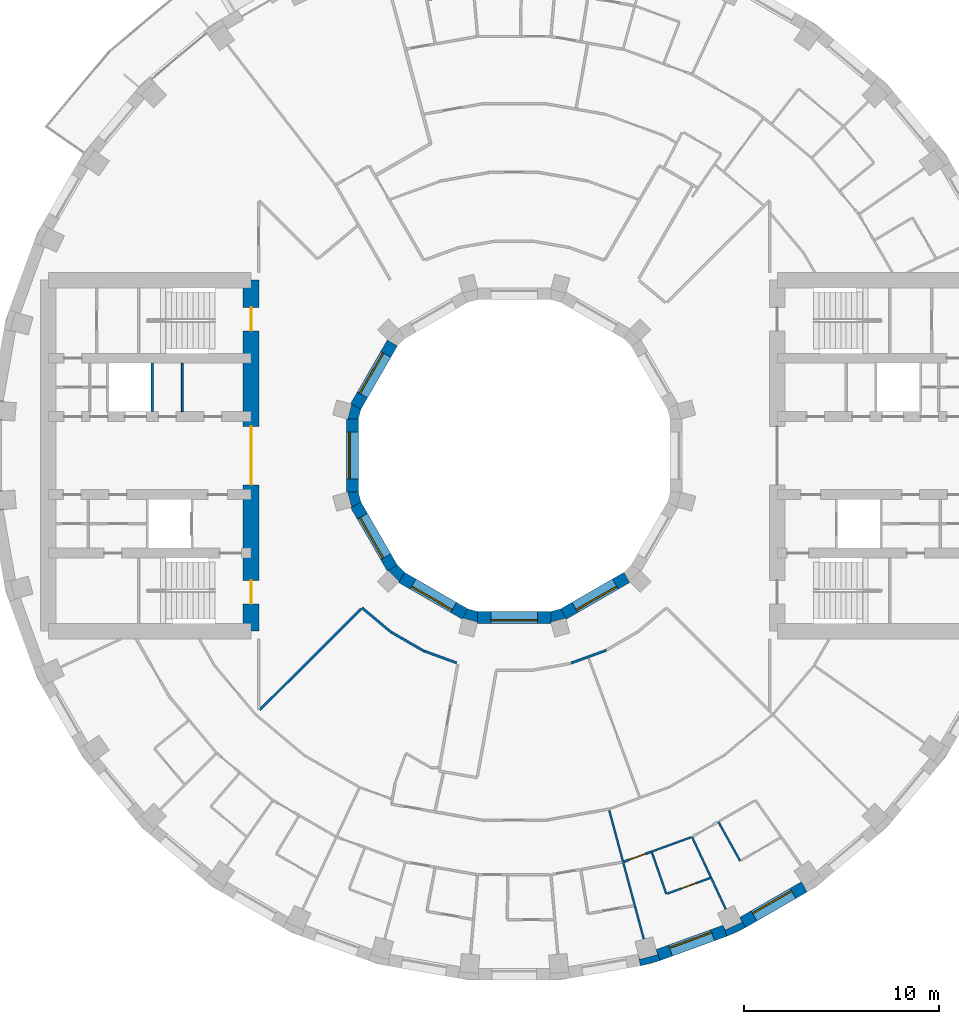
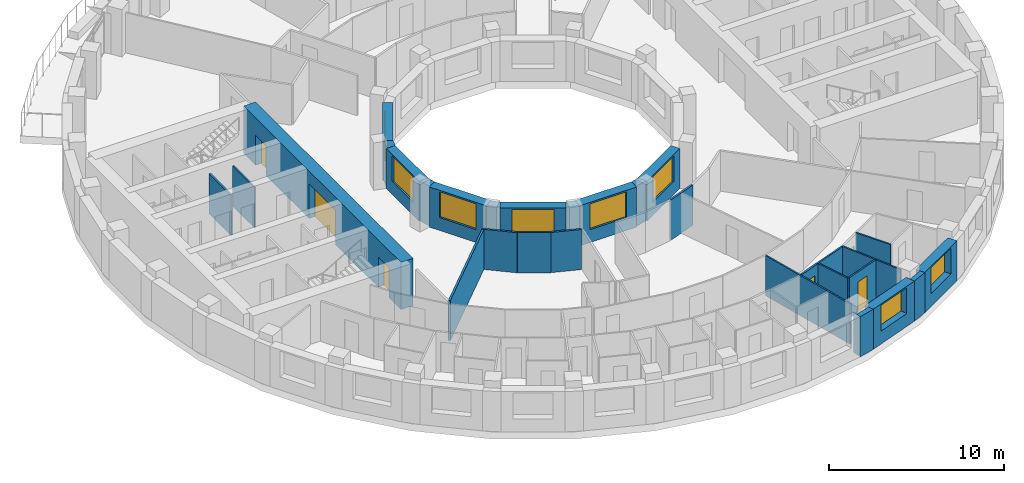
# One storey, part 7 of 14: 30 walls, 8 windows, 5 doors, 13 openings.
"""IFC4 building model written with IfcOpenShell, lengths in metres."""

from ifc_helpers import new_model, si_unit, direction, frame, frame_2d, origin, place, context, subcontext, project, spatial, polyline, rectangle, outline, extrude, material, layer, layer_set, type_object, element, fill, save


model = new_model("IFC4")

# Units and contexts
model_context = context("Model", 3, precision=1e-05, world=origin(), true_north=direction((0.0, 1.0)))
body_context = subcontext(model_context, "Body", "Model", "MODEL_VIEW")
ifc_project = project(units=[si_unit("LENGTHUNIT", "METRE"), si_unit("AREAUNIT", "SQUARE_METRE"), si_unit("VOLUMEUNIT", "CUBIC_METRE"), si_unit("PLANEANGLEUNIT", "RADIAN"), si_unit("MASSUNIT", "GRAM", prefix="KILO")], contexts=[model_context])

# Site, building, storey
site_placement = place(None, origin())
site = spatial("IfcSite", under=ifc_project, at=site_placement, CompositionType="ELEMENT")
building_placement = place(site_placement, origin())
building = spatial("IfcBuilding", under=site, at=building_placement, Name="Saqina Gate Tower", CompositionType="ELEMENT")
storey_placement = place(building_placement, frame((0.0, 0.0, 95.199951171875)))
storey = spatial("IfcBuildingStorey", under=building, at=storey_placement, Name="L26", CompositionType="ELEMENT", Elevation=95.199951171875)

# Walls
ifc_material_1 = material(Name="Brick masonry (buff)", Category="masonry")
wall_type_1 = type_object("IfcWallType", Name="BRICK PIER COPING BUFF", PredefinedType="SOLIDWALL", material=ifc_material_1)
wall_1_placement = place(storey_placement, origin())
element("IfcWall", 1, at=wall_1_placement, inside=storey, type_object=wall_type_1, Name="Pier cap L26 column 29", PredefinedType="SOLIDWALL", context=body_context, shape_type="SweptSolid", body=[
    extrude(outline(polyline([(6.466796875, -26.171875), (7.485595703125, -25.89892578125), (7.2802734375, -25.335205078125), (7.349853515625, -25.5947265625), (6.43212890625, -25.8408203125), (6.36279296875, -25.5810546875), (6.466796875, -26.171875)])), origin(), (0.0, 0.0, 1.0), 2.800048828125),
])
wall_2_placement = place(storey_placement, origin())
element("IfcWall", 2, at=wall_2_placement, inside=storey, type_object=wall_type_1, Name="Pier cap L26 column 30", PredefinedType="SOLIDWALL", context=body_context, shape_type="SweptSolid", body=[
    extrude(outline(polyline([(10.913330078125, -24.6513671875), (11.869140625, -24.205810546875), (11.569091796875, -23.68603515625), (11.6826171875, -23.9296875), (10.82177734375, -24.331298828125), (10.7080078125, -24.08740234375), (10.913330078125, -24.6513671875)])), origin(), (0.0, 0.0, 1.0), 2.800048828125),
])
ifc_material_2 = material(Name="Gypsum board on steel studs", Category="steel")
ifc_layer_1 = layer(ifc_material_2, 0.10009765625)
ifc_layer_set_1 = layer_set([ifc_layer_1], Name="CORE PARTITION")
wall_type_2 = type_object("IfcWallType", Name="CORE PARTITION", PredefinedType="PARTITIONING", material=ifc_layer_set_1)
wall_3_placement = place(storey_placement, frame((-17.022216796875, 2.25, 0.0), z_axis=(0.0, 0.0, 1.0), x_axis=(0.0, 1.0, 0.0)))
element("IfcWall", 3, at=wall_3_placement, inside=storey, type_object=wall_type_2, Name="L26-CP-W01", PredefinedType="PARTITIONING", context=body_context, shape_type="SweptSolid", body=[
    extrude(rectangle(XDim=2.5, YDim=0.10009765625, at=frame_2d((1.25, 0.0))), origin(), (0.0, 0.0, 1.0), 2.800048828125),
])

# Wall, opening, window
ifc_material_3 = material(Name="Brick masonry (buff)", Category="masonry")
ifc_layer_2 = layer(ifc_material_3, 0.60009765625)
ifc_layer_set_2 = layer_set([ifc_layer_2], Name="FW-BRICK-BUFF")
wall_type_3 = type_object("IfcWallType", Name="FW-BRICK-BUFF", PredefinedType="SOLIDWALL", material=ifc_layer_set_2)
wall_4_placement = place(storey_placement, frame((7.3828125, -25.616943359375, 0.0), z_axis=(0.0, 0.0, 1.0), x_axis=(0.939703505393, 0.341990236633, 0.0)))
wall_4 = element("IfcWall", 4, at=wall_4_placement, inside=storey, type_object=wall_type_3, Name="Facade wall L26 facet 29", PredefinedType="SOLIDWALL", context=body_context, shape_type="SweptSolid", body=[
    extrude(rectangle(XDim=3.64794921875, YDim=0.60009765625, at=frame_2d((1.823974609375, 0.0))), origin(), (0.0, 0.0, 1.0), 2.800048828125),
])
opening_1_placement = place(wall_4_placement, frame((0.673828125, 0.0, 0.89990234375)))
opening_1 = element("IfcOpeningElement", 5, at=opening_1_placement, cuts=wall_4, Name="Opening G07-W18", PredefinedType="OPENING", context=body_context, shape_type="SweptSolid", body=[
    extrude(rectangle(XDim=2.300048828125, YDim=1.800048828125, at=frame_2d((1.14990234375, 0.89990234375))), frame((0.0, 0.31201171875, 0.0), z_axis=(0.0, -1.0, 0.0), x_axis=(1.0, 0.0, 0.0)), (0.0, 0.0, 1.0), 0.6240234375),
])
ifc_material_4 = material(Name="Aluminium glazing", Category="aluminium")
window_type_1 = type_object("IfcWindowType", Name="WN-B", PartitioningType="SINGLE_PANEL", PredefinedType="WINDOW", material=ifc_material_4)
window_1_placement = place(opening_1_placement, origin())
window_1 = element("IfcWindow", 6, at=window_1_placement, inside=storey, type_object=window_type_1, Name="Window L26 facet 29", OverallHeight=1.800048828125, OverallWidth=2.300048828125, PartitioningType="SINGLE_PANEL", PredefinedType="WINDOW", context=body_context, shape_type="SweptSolid", body=[
    extrude(rectangle(XDim=2.300048828125, YDim=1.800048828125, at=frame_2d((1.14990234375, 0.89990234375))), frame((0.0, 0.179931640625, 0.0), z_axis=(0.0, -1.0, 0.0), x_axis=(1.0, 0.0, 0.0)), (0.0, 0.0, 1.0), 0.06005859375),
])
fill(opening_1, window_1)

wall_5_placement = place(storey_placement, frame((11.718994140625, -23.94580078125, 0.0), z_axis=(0.0, 0.0, 1.0), x_axis=(0.866051847062, 0.499954196102, 0.0)))
wall_5 = element("IfcWall", 7, at=wall_5_placement, inside=storey, type_object=wall_type_3, Name="Facade wall L26 facet 30", PredefinedType="SOLIDWALL", context=body_context, shape_type="SweptSolid", body=[
    extrude(rectangle(XDim=3.647705078125, YDim=0.60009765625, at=frame_2d((1.82373046875, 0.0))), origin(), (0.0, 0.0, 1.0), 2.800048828125),
])
opening_2_placement = place(wall_5_placement, frame((0.673828125, 0.0, 0.89990234375)))
opening_2 = element("IfcOpeningElement", 8, at=opening_2_placement, cuts=wall_5, Name="Opening G07-W19", PredefinedType="OPENING", context=body_context, shape_type="SweptSolid", body=[
    extrude(rectangle(XDim=2.300048828125, YDim=1.800048828125, at=frame_2d((1.14990234375, 0.89990234375))), frame((0.0, 0.31201171875, 0.0), z_axis=(0.0, -1.0, 0.0), x_axis=(1.0, 0.0, 0.0)), (0.0, 0.0, 1.0), 0.6240234375),
])
window_2_placement = place(opening_2_placement, origin())
window_2 = element("IfcWindow", 9, at=window_2_placement, inside=storey, type_object=window_type_1, Name="Window L26 facet 30", OverallHeight=1.800048828125, OverallWidth=2.300048828125, PartitioningType="SINGLE_PANEL", PredefinedType="WINDOW", context=body_context, shape_type="SweptSolid", body=[
    extrude(rectangle(XDim=2.300048828125, YDim=1.800048828125, at=frame_2d((1.14990234375, 0.89990234375))), frame((0.0, 0.179931640625, 0.0), z_axis=(0.0, -1.0, 0.0), x_axis=(1.0, 0.0, 0.0)), (0.0, 0.0, 1.0), 0.06005859375),
])
fill(opening_2, window_2)

ifc_material_5 = material(Name="Glazed ceramic tile", Category="ceramic")
ifc_layer_3 = layer(ifc_material_5, 0.60009765625)
ifc_layer_set_3 = layer_set([ifc_layer_3], Name="IW-TILE")
wall_type_4 = type_object("IfcWallType", Name="IW-TILE", PredefinedType="SOLIDWALL", material=ifc_layer_set_3)
wall_6_placement = place(storey_placement, frame((-6.251220703125, 5.772705078125, 0.0), z_axis=(0.0, 0.0, 1.0), x_axis=(-0.499964958637, -0.86604563398, 0.0)))
wall_6 = element("IfcWall", 10, at=wall_6_placement, inside=storey, type_object=wall_type_4, Name="Well wall L26 facet 5", PredefinedType="SOLIDWALL", context=body_context, shape_type="SweptSolid", body=[
    extrude(rectangle(XDim=3.747314453125, YDim=0.60009765625, at=frame_2d((1.87353515625, 0.0))), origin(), (0.0, 0.0, 1.0), 2.800048828125),
])
opening_3_placement = place(wall_6_placement, frame((0.673583984375, 0.0, 0.89990234375)))
opening_3 = element("IfcOpeningElement", 11, at=opening_3_placement, cuts=wall_6, Name="Opening G07-W27", PredefinedType="OPENING", context=body_context, shape_type="SweptSolid", body=[
    extrude(rectangle(XDim=2.39990234375, YDim=1.800048828125, at=frame_2d((1.199951171875, 0.89990234375))), frame((0.0, 0.31201171875, 0.0), z_axis=(0.0, -1.0, 0.0), x_axis=(1.0, 0.0, 0.0)), (0.0, 0.0, 1.0), 0.6240234375),
])
ifc_material_6 = material(Name="Aluminium glazing", Category="aluminium")
window_type_2 = type_object("IfcWindowType", Name="WN-W", PartitioningType="SINGLE_PANEL", PredefinedType="WINDOW", material=ifc_material_6)
window_3_placement = place(opening_3_placement, origin())
window_3 = element("IfcWindow", 12, at=window_3_placement, inside=storey, type_object=window_type_2, Name="Well window L26 facet 5", OverallHeight=1.800048828125, OverallWidth=2.39990234375, PartitioningType="SINGLE_PANEL", PredefinedType="WINDOW", context=body_context, shape_type="SweptSolid", body=[
    extrude(rectangle(XDim=2.39990234375, YDim=1.800048828125, at=frame_2d((1.199951171875, 0.89990234375))), frame((0.0, -0.119873046875, 0.0), z_axis=(0.0, -1.0, 0.0), x_axis=(1.0, 0.0, 0.0)), (0.0, 0.0, 1.0), 0.06005859375),
])
fill(opening_3, window_3)

wall_7_placement = place(storey_placement, frame((-8.300048828125, 1.873779296875, 0.0), z_axis=(0.0, 0.0, 1.0), x_axis=(0.0, -1.0, 0.0)))
wall_7 = element("IfcWall", 13, at=wall_7_placement, inside=storey, type_object=wall_type_4, Name="Well wall L26 facet 6", PredefinedType="SOLIDWALL", context=body_context, shape_type="SweptSolid", body=[
    extrude(rectangle(XDim=3.74755859375, YDim=0.60009765625, at=frame_2d((1.873779296875, 0.0))), origin(), (0.0, 0.0, 1.0), 2.800048828125),
])
opening_4_placement = place(wall_7_placement, frame((0.673583984375, 0.0, 0.89990234375)))
opening_4 = element("IfcOpeningElement", 14, at=opening_4_placement, cuts=wall_7, Name="Opening G07-W28", PredefinedType="OPENING", context=body_context, shape_type="SweptSolid", body=[
    extrude(rectangle(XDim=2.39990234375, YDim=1.800048828125, at=frame_2d((1.199951171875, 0.89990234375))), frame((0.0, 0.31201171875, 0.0), z_axis=(0.0, -1.0, 0.0), x_axis=(1.0, 0.0, 0.0)), (0.0, 0.0, 1.0), 0.6240234375),
])
window_4_placement = place(opening_4_placement, origin())
window_4 = element("IfcWindow", 15, at=window_4_placement, inside=storey, type_object=window_type_2, Name="Well window L26 facet 6", OverallHeight=1.800048828125, OverallWidth=2.39990234375, PartitioningType="SINGLE_PANEL", PredefinedType="WINDOW", context=body_context, shape_type="SweptSolid", body=[
    extrude(rectangle(XDim=2.39990234375, YDim=1.800048828125, at=frame_2d((1.199951171875, 0.89990234375))), frame((0.0, -0.119873046875, 0.0), z_axis=(0.0, -1.0, 0.0), x_axis=(1.0, 0.0, 0.0)), (0.0, 0.0, 1.0), 0.06005859375),
])
fill(opening_4, window_4)

wall_8_placement = place(storey_placement, frame((-8.124755859375, -2.52734375, 0.0), z_axis=(0.0, 0.0, 1.0), x_axis=(0.499964958637, -0.86604563398, 0.0)))
wall_8 = element("IfcWall", 16, at=wall_8_placement, inside=storey, type_object=wall_type_4, Name="Well wall L26 facet 7", PredefinedType="SOLIDWALL", context=body_context, shape_type="SweptSolid", body=[
    extrude(rectangle(XDim=3.747314453125, YDim=0.60009765625, at=frame_2d((1.87353515625, 0.0))), origin(), (0.0, 0.0, 1.0), 2.800048828125),
])
opening_5_placement = place(wall_8_placement, frame((0.673583984375, 0.0, 0.89990234375)))
opening_5 = element("IfcOpeningElement", 17, at=opening_5_placement, cuts=wall_8, Name="Opening G07-W29", PredefinedType="OPENING", context=body_context, shape_type="SweptSolid", body=[
    extrude(rectangle(XDim=2.39990234375, YDim=1.800048828125, at=frame_2d((1.199951171875, 0.89990234375))), frame((0.0, 0.31201171875, 0.0), z_axis=(0.0, -1.0, 0.0), x_axis=(1.0, 0.0, 0.0)), (0.0, 0.0, 1.0), 0.6240234375),
])
window_5_placement = place(opening_5_placement, origin())
window_5 = element("IfcWindow", 18, at=window_5_placement, inside=storey, type_object=window_type_2, Name="Well window L26 facet 7", OverallHeight=1.800048828125, OverallWidth=2.39990234375, PartitioningType="SINGLE_PANEL", PredefinedType="WINDOW", context=body_context, shape_type="SweptSolid", body=[
    extrude(rectangle(XDim=2.39990234375, YDim=1.800048828125, at=frame_2d((1.199951171875, 0.89990234375))), frame((0.0, -0.119873046875, 0.0), z_axis=(0.0, -1.0, 0.0), x_axis=(1.0, 0.0, 0.0)), (0.0, 0.0, 1.0), 0.06005859375),
])
fill(opening_5, window_5)

wall_9_placement = place(storey_placement, frame((-5.772705078125, -6.251220703125, 0.0), z_axis=(0.0, 0.0, 1.0), x_axis=(0.86604563398, -0.499964958637, 0.0)))
wall_9 = element("IfcWall", 19, at=wall_9_placement, inside=storey, type_object=wall_type_4, Name="Well wall L26 facet 8", PredefinedType="SOLIDWALL", context=body_context, shape_type="SweptSolid", body=[
    extrude(rectangle(XDim=3.747314453125, YDim=0.60009765625, at=frame_2d((1.87353515625, 0.0))), origin(), (0.0, 0.0, 1.0), 2.800048828125),
])
opening_6_placement = place(wall_9_placement, frame((0.673583984375, 0.0, 0.89990234375)))
opening_6 = element("IfcOpeningElement", 20, at=opening_6_placement, cuts=wall_9, Name="Opening G07-W30", PredefinedType="OPENING", context=body_context, shape_type="SweptSolid", body=[
    extrude(rectangle(XDim=2.39990234375, YDim=1.800048828125, at=frame_2d((1.199951171875, 0.89990234375))), frame((0.0, 0.31201171875, 0.0), z_axis=(0.0, -1.0, 0.0), x_axis=(1.0, 0.0, 0.0)), (0.0, 0.0, 1.0), 0.6240234375),
])
window_6_placement = place(opening_6_placement, origin())
window_6 = element("IfcWindow", 21, at=window_6_placement, inside=storey, type_object=window_type_2, Name="Well window L26 facet 8", OverallHeight=1.800048828125, OverallWidth=2.39990234375, PartitioningType="SINGLE_PANEL", PredefinedType="WINDOW", context=body_context, shape_type="SweptSolid", body=[
    extrude(rectangle(XDim=2.39990234375, YDim=1.800048828125, at=frame_2d((1.199951171875, 0.89990234375))), frame((0.0, -0.119873046875, 0.0), z_axis=(0.0, -1.0, 0.0), x_axis=(1.0, 0.0, 0.0)), (0.0, 0.0, 1.0), 0.06005859375),
])
fill(opening_6, window_6)

wall_10_placement = place(storey_placement, frame((-1.873779296875, -8.300048828125, 0.0), z_axis=(0.0, 0.0, 1.0), x_axis=(1.0, 0.0, 0.0)))
wall_10 = element("IfcWall", 22, at=wall_10_placement, inside=storey, type_object=wall_type_4, Name="Well wall L26 facet 9", PredefinedType="SOLIDWALL", context=body_context, shape_type="SweptSolid", body=[
    extrude(rectangle(XDim=3.74755859375, YDim=0.60009765625, at=frame_2d((1.873779296875, 0.0))), origin(), (0.0, 0.0, 1.0), 2.800048828125),
])
opening_7_placement = place(wall_10_placement, frame((0.673583984375, 0.0, 0.89990234375)))
opening_7 = element("IfcOpeningElement", 23, at=opening_7_placement, cuts=wall_10, Name="Opening G07-W31", PredefinedType="OPENING", context=body_context, shape_type="SweptSolid", body=[
    extrude(rectangle(XDim=2.39990234375, YDim=1.800048828125, at=frame_2d((1.199951171875, 0.89990234375))), frame((0.0, 0.31201171875, 0.0), z_axis=(0.0, -1.0, 0.0), x_axis=(1.0, 0.0, 0.0)), (0.0, 0.0, 1.0), 0.6240234375),
])
window_7_placement = place(opening_7_placement, origin())
window_7 = element("IfcWindow", 24, at=window_7_placement, inside=storey, type_object=window_type_2, Name="Well window L26 facet 9", OverallHeight=1.800048828125, OverallWidth=2.39990234375, PartitioningType="SINGLE_PANEL", PredefinedType="WINDOW", context=body_context, shape_type="SweptSolid", body=[
    extrude(rectangle(XDim=2.39990234375, YDim=1.800048828125, at=frame_2d((1.199951171875, 0.89990234375))), frame((0.0, -0.119873046875, 0.0), z_axis=(0.0, -1.0, 0.0), x_axis=(1.0, 0.0, 0.0)), (0.0, 0.0, 1.0), 0.06005859375),
])
fill(opening_7, window_7)

wall_11_placement = place(storey_placement, frame((2.52734375, -8.124755859375, 0.0), z_axis=(0.0, 0.0, 1.0), x_axis=(0.86604563398, 0.499964958637, 0.0)))
wall_11 = element("IfcWall", 25, at=wall_11_placement, inside=storey, type_object=wall_type_4, Name="Well wall L26 facet 10", PredefinedType="SOLIDWALL", context=body_context, shape_type="SweptSolid", body=[
    extrude(rectangle(XDim=3.747314453125, YDim=0.60009765625, at=frame_2d((1.87353515625, 0.0))), origin(), (0.0, 0.0, 1.0), 2.800048828125),
])
opening_8_placement = place(wall_11_placement, frame((0.673583984375, 0.0, 0.89990234375)))
opening_8 = element("IfcOpeningElement", 26, at=opening_8_placement, cuts=wall_11, Name="Opening G07-W32", PredefinedType="OPENING", context=body_context, shape_type="SweptSolid", body=[
    extrude(rectangle(XDim=2.39990234375, YDim=1.800048828125, at=frame_2d((1.199951171875, 0.89990234375))), frame((0.0, 0.31201171875, 0.0), z_axis=(0.0, -1.0, 0.0), x_axis=(1.0, 0.0, 0.0)), (0.0, 0.0, 1.0), 0.6240234375),
])
window_8_placement = place(opening_8_placement, origin())
window_8 = element("IfcWindow", 27, at=window_8_placement, inside=storey, type_object=window_type_2, Name="Well window L26 facet 10", OverallHeight=1.800048828125, OverallWidth=2.39990234375, PartitioningType="SINGLE_PANEL", PredefinedType="WINDOW", context=body_context, shape_type="SweptSolid", body=[
    extrude(rectangle(XDim=2.39990234375, YDim=1.800048828125, at=frame_2d((1.199951171875, 0.89990234375))), frame((0.0, -0.119873046875, 0.0), z_axis=(0.0, -1.0, 0.0), x_axis=(1.0, 0.0, 0.0)), (0.0, 0.0, 1.0), 0.06005859375),
])
fill(opening_8, window_8)

# Walls
ifc_material_7 = material(Name="Gypsum board on steel studs, 100 mm", Category="steel")
ifc_layer_4 = layer(ifc_material_7, 0.10009765625)
ifc_layer_set_4 = layer_set([ifc_layer_4], Name="PARTITION 100")
wall_type_5 = type_object("IfcWallType", Name="PARTITION 100", PredefinedType="PARTITIONING", material=ifc_layer_set_4)
wall_12_placement = place(storey_placement, frame((4.869873046875, -18.179443359375, 0.0), z_axis=(0.0, 0.0, 1.0), x_axis=(0.259209722025, -0.965821060035, 0.0)))
element("IfcWall", 28, at=wall_12_placement, inside=storey, type_object=wall_type_5, Name="PARTITION PW3-05", PredefinedType="PARTITIONING", context=body_context, shape_type="SweptSolid", body=[
    extrude(rectangle(XDim=6.844482421875, YDim=0.10009765625, at=frame_2d((3.42236328125, 0.0))), origin(), (0.0, 0.0, 1.0), 2.800048828125),
])
wall_13_placement = place(storey_placement, frame((7.064453125, -20.359130859375, 0.0), z_axis=(0.0, 0.0, 1.0), x_axis=(0.327758868129, -0.944761411343, 0.0)))
element("IfcWall", 29, at=wall_13_placement, inside=storey, type_object=wall_type_5, Name="PARTITION PW3-06", PredefinedType="PARTITIONING", context=body_context, shape_type="SweptSolid", body=[
    extrude(rectangle(XDim=2.250244140625, YDim=0.10009765625, at=frame_2d((1.125, 0.0))), origin(), (0.0, 0.0, 1.0), 2.800048828125),
])
wall_14_placement = place(storey_placement, frame((9.1201171875, -19.55810546875, 0.0), z_axis=(0.0, 0.0, 1.0), x_axis=(0.422882193637, -0.906184666778, 0.0)))
element("IfcWall", 30, at=wall_14_placement, inside=storey, type_object=wall_type_5, Name="PARTITION PW3-08", PredefinedType="PARTITIONING", context=body_context, shape_type="SweptSolid", body=[
    extrude(rectangle(XDim=4.085205078125, YDim=0.10009765625, at=frame_2d((2.04248046875, 0.0))), origin(), (0.0, 0.0, 1.0), 2.800048828125),
])
wall_15_placement = place(storey_placement, frame((10.468017578125, -18.779052734375, 0.0), z_axis=(0.0, 0.0, 1.0), x_axis=(0.486886136125, -0.873465448915, 0.0)))
element("IfcWall", 31, at=wall_15_placement, inside=storey, type_object=wall_type_5, Name="PARTITION PW3-09", PredefinedType="PARTITIONING", context=body_context, shape_type="SweptSolid", body=[
    extrude(rectangle(XDim=2.300048828125, YDim=0.10009765625, at=frame_2d((1.14990234375, 0.0))), origin(), (0.0, 0.0, 1.0), 2.800048828125),
])

# Wall, opening, door
wall_16_placement = place(storey_placement, frame((7.848876953125, -22.468017578125, 0.0), z_axis=(0.0, 0.0, 1.0), x_axis=(0.939662448837, 0.342103028699, 0.0)))
wall_16 = element("IfcWall", 32, at=wall_16_placement, inside=storey, type_object=wall_type_5, Name="PARTITION PW3-65", PredefinedType="PARTITIONING", context=body_context, shape_type="SweptSolid", body=[
    extrude(rectangle(XDim=2.341552734375, YDim=0.10009765625, at=frame_2d((1.1708984375, 0.0))), origin(), (0.0, 0.0, 1.0), 2.800048828125),
])
opening_9_placement = place(wall_16_placement, frame((0.7705078125, 0.0, 0.0)))
opening_9 = element("IfcOpeningElement", 33, at=opening_9_placement, cuts=wall_16, Name="Opening G07-D45", PredefinedType="OPENING", context=body_context, shape_type="SweptSolid", body=[
    extrude(rectangle(XDim=0.800048828125, YDim=2.10009765625, at=frame_2d((0.39990234375, 1.050048828125))), frame((0.0, 0.06201171875, 0.0), z_axis=(0.0, -1.0, 0.0), x_axis=(1.0, 0.0, 0.0)), (0.0, 0.0, 1.0), 0.1240234375),
])
ifc_material_8 = material(Name="Timber door leaf, 800 mm", Category="wood")
door_type_1 = type_object("IfcDoorType", Name="DOOR 800 TIMBER", OperationType="SINGLE_SWING_LEFT", PredefinedType="DOOR", material=ifc_material_8)
door_1_placement = place(opening_9_placement, frame((0.800048828125, 0.0, 0.0), z_axis=(0.0, 0.0, 1.0), x_axis=(-1.0, 0.0, 0.0)))
door_1 = element("IfcDoor", 34, at=door_1_placement, inside=storey, type_object=door_type_1, Name="DOOR G07-D45", OperationType="SINGLE_SWING_RIGHT", OverallHeight=2.10009765625, OverallWidth=0.800048828125, PredefinedType="DOOR", context=body_context, shape_type="SweptSolid", body=[
    extrude(rectangle(XDim=0.800048828125, YDim=2.10009765625, at=frame_2d((0.39990234375, 1.050048828125))), frame((0.0, 0.02490234375, 0.0), z_axis=(0.0, -1.0, 0.0), x_axis=(1.0, 0.0, 0.0)), (0.0, 0.0, 1.0), 0.050048828125),
])
fill(opening_9, door_1)

# Walls
wall_17_placement = place(storey_placement, frame((7.0009765625, -20.3291015625, 0.0), z_axis=(0.0, 0.0, 1.0), x_axis=(0.939728749343, 0.341920864613, 0.0)))
element("IfcWall", 35, at=wall_17_placement, inside=storey, type_object=wall_type_5, Name="PARTITION PW3-66", PredefinedType="PARTITIONING", context=body_context, shape_type="SweptSolid", body=[
    extrude(rectangle(XDim=2.204833984375, YDim=0.10009765625, at=frame_2d((1.1025390625, 0.0))), origin(), (0.0, 0.0, 1.0), 2.800048828125),
])
ifc_material_9 = material(Name="Gypsum board on steel studs, 125 mm, fire rated", Category="steel")
ifc_layer_5 = layer(ifc_material_9, 0.125)
ifc_layer_set_5 = layer_set([ifc_layer_5], Name="PARTITION EI 30 125")
wall_type_6 = type_object("IfcWallType", Name="PARTITION EI 30 125", PredefinedType="PARTITIONING", material=ifc_layer_set_5)
wall_18_placement = place(storey_placement, frame((-7.806884765625, -7.805908203125, 0.0), z_axis=(0.0, 0.0, 1.0), x_axis=(0.766164240715, -0.642644813446, 0.0)))
element("IfcWall", 36, at=wall_18_placement, inside=storey, type_object=wall_type_6, Name="PARTITION PW1-12", PredefinedType="PARTITIONING", context=body_context, shape_type="SweptSolid", body=[
    extrude(rectangle(XDim=1.98828125, YDim=0.125, at=frame_2d((0.994140625, 0.0))), origin(), (0.0, 0.0, 1.0), 2.800048828125),
])
wall_19_placement = place(storey_placement, frame((-6.27783203125, -9.07421875, 0.0), z_axis=(0.0, 0.0, 1.0), x_axis=(0.865970077019, -0.500095816526, 0.0)))
element("IfcWall", 37, at=wall_19_placement, inside=storey, type_object=wall_type_6, Name="PARTITION PW1-16", PredefinedType="PARTITIONING", context=body_context, shape_type="SweptSolid", body=[
    extrude(rectangle(XDim=1.92431640625, YDim=0.125, at=frame_2d((0.962158203125, 0.0))), origin(), (0.0, 0.0, 1.0), 2.800048828125),
])
wall_20_placement = place(storey_placement, frame((-4.608154296875, -10.0283203125, 0.0), z_axis=(0.0, 0.0, 1.0), x_axis=(0.939587139824, -0.342309810958, 0.0)))
element("IfcWall", 38, at=wall_20_placement, inside=storey, type_object=wall_type_6, Name="PARTITION PW1-20", PredefinedType="PARTITIONING", context=body_context, shape_type="SweptSolid", body=[
    extrude(rectangle(XDim=1.763671875, YDim=0.125, at=frame_2d((0.8818359375, 0.0))), origin(), (0.0, 0.0, 1.0), 2.800048828125),
])

# Wall, opening, door
wall_21_placement = place(storey_placement, frame((5.632080078125, -20.826904296875, 0.0), z_axis=(0.0, 0.0, 1.0), x_axis=(0.939788529673, 0.341756520778, 0.0)))
wall_21 = element("IfcWall", 39, at=wall_21_placement, inside=storey, type_object=wall_type_6, Name="PARTITION PW1-35", PredefinedType="PARTITIONING", context=body_context, shape_type="SweptSolid", body=[
    extrude(rectangle(XDim=1.45654296875, YDim=0.125, at=frame_2d((0.728271484375, 0.0))), origin(), (0.0, 0.0, 1.0), 2.800048828125),
])
opening_10_placement = place(wall_21_placement, frame((0.27880859375, 0.0, 0.0)))
opening_10 = element("IfcOpeningElement", 40, at=opening_10_placement, cuts=wall_21, Name="Opening G07-D43", PredefinedType="OPENING", context=body_context, shape_type="SweptSolid", body=[
    extrude(rectangle(XDim=0.89990234375, YDim=2.10009765625, at=frame_2d((0.449951171875, 1.050048828125))), frame((0.0, 0.074462890625, 0.0), z_axis=(0.0, -1.0, 0.0), x_axis=(1.0, 0.0, 0.0)), (0.0, 0.0, 1.0), 0.14892578125),
])
ifc_material_10 = material(Name="Fire door leaf EI 30, 900 mm")
door_type_2 = type_object("IfcDoorType", Name="DOOR 900 EI 30", OperationType="SINGLE_SWING_LEFT", PredefinedType="DOOR", material=ifc_material_10)
door_2_placement = place(opening_10_placement, origin())
door_2 = element("IfcDoor", 41, at=door_2_placement, inside=storey, type_object=door_type_2, Name="DOOR G07-D43", OperationType="SINGLE_SWING_LEFT", OverallHeight=2.10009765625, OverallWidth=0.89990234375, PredefinedType="DOOR", context=body_context, shape_type="SweptSolid", body=[
    extrude(rectangle(XDim=0.89990234375, YDim=2.10009765625, at=frame_2d((0.449951171875, 1.050048828125))), frame((0.0, 0.02490234375, 0.0), z_axis=(0.0, -1.0, 0.0), x_axis=(1.0, 0.0, 0.0)), (0.0, 0.0, 1.0), 0.050048828125),
])
fill(opening_10, door_2)

# Walls
wall_22_placement = place(storey_placement, frame((2.915771484375, -10.642578125, 0.0), z_axis=(0.0, 0.0, 1.0), x_axis=(0.939615658103, 0.342231522579, 0.0)))
element("IfcWall", 42, at=wall_22_placement, inside=storey, type_object=wall_type_6, Name="PARTITION PW1-36", PredefinedType="PARTITIONING", context=body_context, shape_type="SweptSolid", body=[
    extrude(rectangle(XDim=1.926025390625, YDim=0.125, at=frame_2d((0.962890625, 0.0))), origin(), (0.0, 0.0, 1.0), 2.800048828125),
])
wall_23_placement = place(storey_placement, frame((-13.056640625, -13.048828125, 0.0), z_axis=(0.0, 0.0, 1.0), x_axis=(0.708367099834, 0.705844212183, 0.0)))
element("IfcWall", 43, at=wall_23_placement, inside=storey, type_object=wall_type_6, Name="PARTITION PW1-43", PredefinedType="PARTITIONING", context=body_context, shape_type="SweptSolid", body=[
    extrude(rectangle(XDim=7.3544921875, YDim=0.125, at=frame_2d((3.67724609375, 0.0))), origin(), (0.0, 0.0, 1.0), 2.800048828125),
])
ifc_material_11 = material(Name="Autoclaved aerated concrete block", Category="concrete")
ifc_layer_6 = layer(ifc_material_11, 0.1201171875)
ifc_layer_set_6 = layer_set([ifc_layer_6], Name="SHAFT PARTITION")
wall_type_7 = type_object("IfcWallType", Name="SHAFT PARTITION", PredefinedType="PARTITIONING", material=ifc_layer_set_6)
wall_24_placement = place(storey_placement, frame((-18.56005859375, 2.25, 0.0), z_axis=(0.0, 0.0, 1.0), x_axis=(0.0, 1.0, 0.0)))
element("IfcWall", 44, at=wall_24_placement, inside=storey, type_object=wall_type_7, Name="L26-CP-W02", PredefinedType="PARTITIONING", context=body_context, shape_type="SweptSolid", body=[
    extrude(rectangle(XDim=2.5, YDim=0.1201171875, at=frame_2d((1.25, 0.0))), origin(), (0.0, 0.0, 1.0), 2.800048828125),
])

# Wall, openings, doors
ifc_material_12 = material(Name="Concrete C70/85", Category="concrete")
ifc_layer_7 = layer(ifc_material_12, 0.800048828125)
ifc_layer_set_7 = layer_set([ifc_layer_7], Name="Concrete C70/85")
wall_type_8 = type_object("IfcWallType", Name="STR-CORE WALL-B-O", PredefinedType="SHEAR", material=ifc_layer_set_7)
wall_25_placement = place(storey_placement, frame((-13.5, -9.0, 0.0), z_axis=(0.0, 0.0, 1.0), x_axis=(0.0, 1.0, 0.0)))
wall_25 = element("IfcWall", 45, at=wall_25_placement, inside=storey, type_object=wall_type_8, Name="CORE WALL L26 W-W1", PredefinedType="SHEAR", context=body_context, shape_type="SweptSolid", body=[
    extrude(rectangle(XDim=18.0, YDim=0.800048828125, at=frame_2d((9.0, 0.0))), origin(), (0.0, 0.0, 1.0), 3.300048828125),
])
opening_11_placement = place(wall_25_placement, frame((15.39990234375, 0.0, 0.0)))
opening_11 = element("IfcOpeningElement", 46, at=opening_11_placement, cuts=wall_25, Name="Opening G07-D123", PredefinedType="OPENING", context=body_context, shape_type="SweptSolid", body=[
    extrude(rectangle(XDim=1.199951171875, YDim=2.10009765625, at=frame_2d((0.60009765625, 1.050048828125))), frame((0.0, 0.412109375, 0.0), z_axis=(0.0, -1.0, 0.0), x_axis=(1.0, 0.0, 0.0)), (0.0, 0.0, 1.0), 0.823974609375),
])
opening_12_placement = place(wall_25_placement, frame((1.39990234375, 0.0, 0.0)))
opening_12 = element("IfcOpeningElement", 47, at=opening_12_placement, cuts=wall_25, Name="Opening G07-D124", PredefinedType="OPENING", context=body_context, shape_type="SweptSolid", body=[
    extrude(rectangle(XDim=1.199951171875, YDim=2.10009765625, at=frame_2d((0.60009765625, 1.050048828125))), frame((0.0, 0.412109375, 0.0), z_axis=(0.0, -1.0, 0.0), x_axis=(1.0, 0.0, 0.0)), (0.0, 0.0, 1.0), 0.823974609375),
])
opening_13_placement = place(wall_25_placement, frame((7.5, 0.0, 0.0)))
opening_13 = element("IfcOpeningElement", 48, at=opening_13_placement, cuts=wall_25, Name="Opening G07-D125", PredefinedType="OPENING", context=body_context, shape_type="SweptSolid", body=[
    extrude(rectangle(XDim=3.0, YDim=2.39990234375, at=frame_2d((1.5, 1.199951171875))), frame((0.0, 0.412109375, 0.0), z_axis=(0.0, -1.0, 0.0), x_axis=(1.0, 0.0, 0.0)), (0.0, 0.0, 1.0), 0.823974609375),
])
ifc_material_13 = material(Name="Steel", Category="steel")
door_type_3 = type_object("IfcDoorType", Name="FIRE DOOR EI 60", OperationType="SINGLE_SWING_LEFT", PredefinedType="DOOR", material=ifc_material_13)
door_3_placement = place(opening_11_placement, origin())
door_3 = element("IfcDoor", 49, at=door_3_placement, inside=storey, type_object=door_type_3, Name="L26-CD-W34", OperationType="SINGLE_SWING_RIGHT", OverallHeight=2.10009765625, OverallWidth=1.199951171875, PredefinedType="DOOR", context=body_context, shape_type="SweptSolid", body=[
    extrude(rectangle(XDim=1.199951171875, YDim=2.10009765625, at=frame_2d((0.60009765625, 1.050048828125))), frame((0.0, 0.02490234375, 0.0), z_axis=(0.0, -1.0, 0.0), x_axis=(1.0, 0.0, 0.0)), (0.0, 0.0, 1.0), 0.050048828125),
])
fill(opening_11, door_3)
door_4_placement = place(opening_12_placement, origin())
door_4 = element("IfcDoor", 50, at=door_4_placement, inside=storey, type_object=door_type_3, Name="L26-CD-W35", OperationType="SINGLE_SWING_LEFT", OverallHeight=2.10009765625, OverallWidth=1.199951171875, PredefinedType="DOOR", context=body_context, shape_type="SweptSolid", body=[
    extrude(rectangle(XDim=1.199951171875, YDim=2.10009765625, at=frame_2d((0.60009765625, 1.050048828125))), frame((0.0, 0.02490234375, 0.0), z_axis=(0.0, -1.0, 0.0), x_axis=(1.0, 0.0, 0.0)), (0.0, 0.0, 1.0), 0.050048828125),
])
fill(opening_12, door_4)
ifc_material_14 = material(Name="Steel and fire-resisting glass", Category="steel")
door_type_4 = type_object("IfcDoorType", Name="LOBBY SCREEN DOOR", OperationType="DOUBLE_DOOR_SLIDING", PredefinedType="DOOR", material=ifc_material_14)
door_5_placement = place(opening_13_placement, origin())
door_5 = element("IfcDoor", 51, at=door_5_placement, inside=storey, type_object=door_type_4, Name="L26-CD-W36", OperationType="DOUBLE_DOOR_SLIDING", OverallHeight=2.39990234375, OverallWidth=3.0, PredefinedType="DOOR", context=body_context, shape_type="SweptSolid", body=[
    extrude(rectangle(XDim=3.0, YDim=2.39990234375, at=frame_2d((1.5, 1.199951171875))), frame((0.0, 0.02490234375, 0.0), z_axis=(0.0, -1.0, 0.0), x_axis=(1.0, 0.0, 0.0)), (0.0, 0.0, 1.0), 0.050048828125),
])
fill(opening_13, door_5)

# Walls
ifc_material_15 = material(Name="Glazed ceramic tile", Category="ceramic")
wall_type_9 = type_object("IfcWallType", Name="TILE PIER COPING", PredefinedType="SOLIDWALL", material=ifc_material_15)
wall_26_placement = place(storey_placement, origin())
element("IfcWall", 52, at=wall_26_placement, inside=storey, type_object=wall_type_9, Name="Well pier cap L26 column 6", PredefinedType="SOLIDWALL", context=body_context, shape_type="SweptSolid", body=[
    extrude(outline(polyline([(-8.5380859375, 1.873779296875), (-8.0, 1.873779296875), (-7.864990234375, 2.377197265625), (-8.3310546875, 2.646484375), (-8.5380859375, 1.873779296875)])), origin(), (0.0, 0.0, 1.0), 2.800048828125),
])
wall_27_placement = place(storey_placement, origin())
element("IfcWall", 53, at=wall_27_placement, inside=storey, type_object=wall_type_9, Name="Well pier cap L26 column 7", PredefinedType="SOLIDWALL", context=body_context, shape_type="SweptSolid", body=[
    extrude(outline(polyline([(-8.3310546875, -2.646484375), (-7.864990234375, -2.377197265625), (-8.0, -1.873779296875), (-8.5380859375, -1.873779296875), (-8.3310546875, -2.646484375)])), origin(), (0.0, 0.0, 1.0), 2.800048828125),
])
wall_28_placement = place(storey_placement, origin())
element("IfcWall", 54, at=wall_28_placement, inside=storey, type_object=wall_type_9, Name="Well pier cap L26 column 8", PredefinedType="SOLIDWALL", context=body_context, shape_type="SweptSolid", body=[
    extrude(outline(polyline([(-6.45751953125, -5.891845703125), (-5.891845703125, -6.45751953125), (-5.622802734375, -5.991455078125), (-5.991455078125, -5.622802734375), (-6.45751953125, -5.891845703125)])), origin(), (0.0, 0.0, 1.0), 2.800048828125),
])
wall_29_placement = place(storey_placement, origin())
element("IfcWall", 55, at=wall_29_placement, inside=storey, type_object=wall_type_9, Name="Well pier cap L26 column 9", PredefinedType="SOLIDWALL", context=body_context, shape_type="SweptSolid", body=[
    extrude(outline(polyline([(-1.873779296875, -8.5380859375), (-1.873779296875, -8.0), (-2.377197265625, -7.864990234375), (-2.646484375, -8.3310546875), (-1.873779296875, -8.5380859375)])), origin(), (0.0, 0.0, 1.0), 2.800048828125),
])
wall_30_placement = place(storey_placement, origin())
element("IfcWall", 56, at=wall_30_placement, inside=storey, type_object=wall_type_9, Name="Well pier cap L26 column 10", PredefinedType="SOLIDWALL", context=body_context, shape_type="SweptSolid", body=[
    extrude(outline(polyline([(2.646484375, -8.3310546875), (2.377197265625, -7.864990234375), (1.873779296875, -8.0), (1.873779296875, -8.5380859375), (2.646484375, -8.3310546875)])), origin(), (0.0, 0.0, 1.0), 2.800048828125),
])

save(model, "model.ifc")
